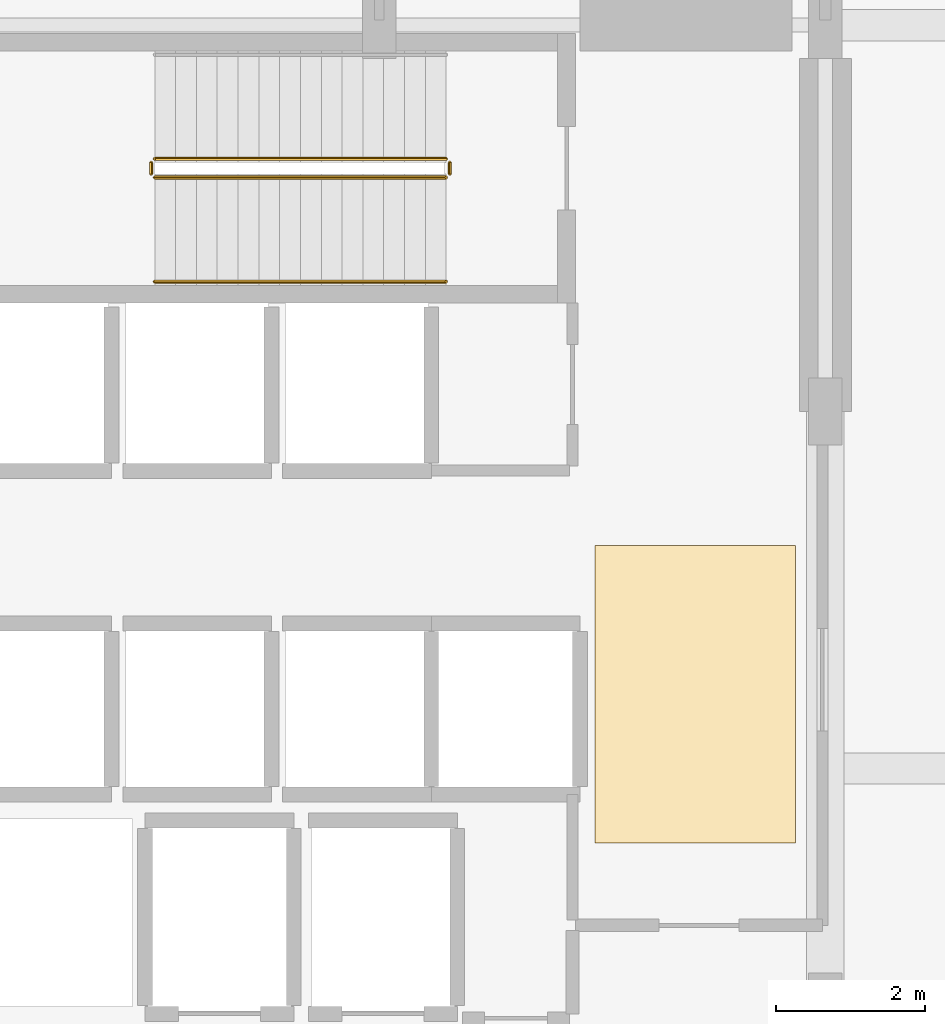
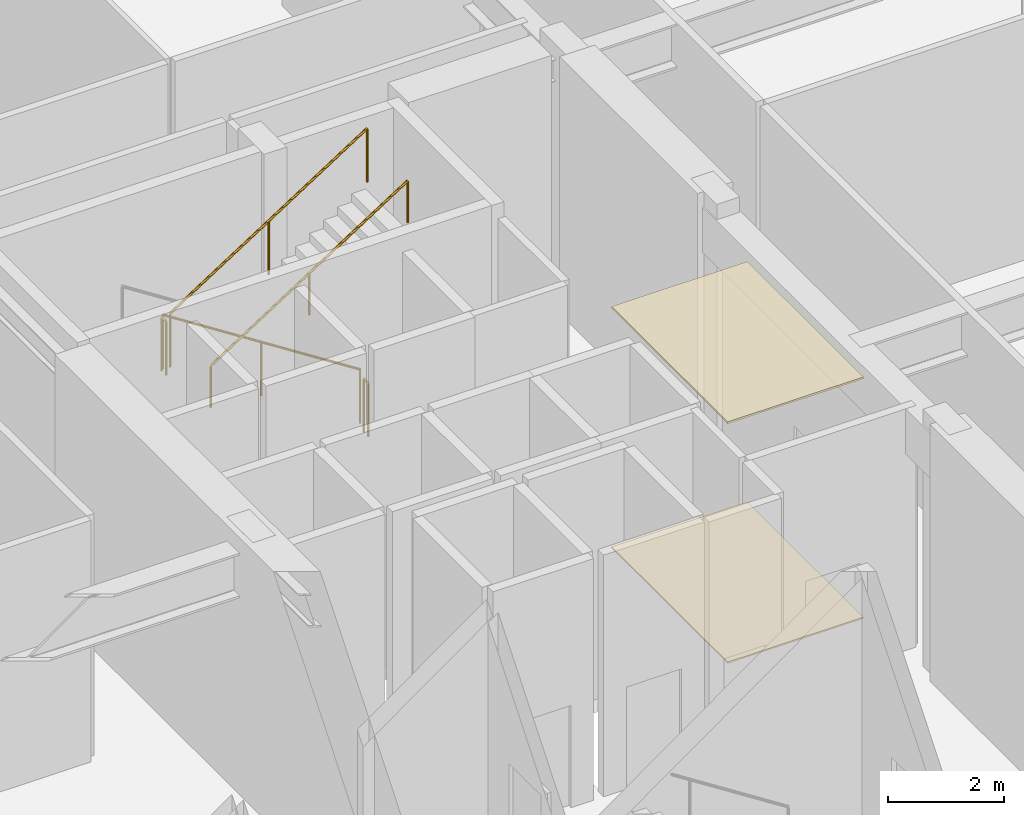
# One storey, part 26 of 28: 5 railings, 2 coverings.
"""IFC4 building model written with IfcOpenShell, lengths in metres."""

from ifc_helpers import new_model, si_unit, direction, frame, origin, origin_2d, place, context, subcontext, project, spatial, polyline, circle, outline, extrude, material, layer, layer_set, type_object, element, save


model = new_model("IFC4")

# Units and contexts
model_context = context("Model", 3, precision=1e-05, world=origin(), true_north=direction((0.0, 1.0)))
body_context = subcontext(model_context, "Body", "Model", "MODEL_VIEW")
ifc_project = project(units=[si_unit("LENGTHUNIT", "METRE"), si_unit("AREAUNIT", "SQUARE_METRE"), si_unit("VOLUMEUNIT", "CUBIC_METRE"), si_unit("PLANEANGLEUNIT", "RADIAN"), si_unit("MASSUNIT", "GRAM", prefix="KILO")], contexts=[model_context])

# Site, building, storey
site_placement = place(None, origin())
site = spatial("IfcSite", under=ifc_project, at=site_placement, CompositionType="ELEMENT")
building_placement = place(site_placement, origin())
building = spatial("IfcBuilding", under=site, at=building_placement, Name="Soratama Intermodal Tower", CompositionType="ELEMENT")
storey_placement = place(building_placement, frame((0.0, 0.0, 6.0)))
storey = spatial("IfcBuildingStorey", under=building, at=storey_placement, Name="L01", CompositionType="ELEMENT", Elevation=6.0)

# Coverings
ifc_material_1 = material(Name="Perforated mineral acoustic ceiling", Category="concrete")
ifc_layer_1 = layer(ifc_material_1, 0.0400390625)
ifc_layer_set_1 = layer_set([ifc_layer_1], Name="Perforated mineral acoustic ceiling")
covering_type_1 = type_object("IfcCoveringType", Name="CV-CEIL-ACOUSTIC", PredefinedType="CEILING", material=ifc_layer_set_1)
covering_1_placement = place(storey_placement, frame((0.0, 0.0, 5.0400390625)))
element("IfcCovering", 1, at=covering_1_placement, inside=storey, type_object=covering_type_1, Name="L01 Acoustic Ceiling", PredefinedType="CEILING", context=body_context, shape_type="SweptSolid", body=[
    extrude(outline(polyline([(41.5, 24.0), (44.199951171875, 24.0), (44.199951171875, 28.0), (41.5, 28.0), (41.5, 24.0)])), origin(), (0.0, 0.0, 1.0), 0.0400390625),
])
ifc_material_2 = material(Name="Polished Andean stone terrazzo flooring", Category="masonry")
ifc_layer_2 = layer(ifc_material_2, 0.030029296875)
ifc_layer_set_2 = layer_set([ifc_layer_2], Name="Polished Andean stone terrazzo flooring")
covering_type_2 = type_object("IfcCoveringType", Name="CV-FLOR-TERRAZZO", PredefinedType="FLOORING", material=ifc_layer_set_2)
covering_2_placement = place(storey_placement, origin())
element("IfcCovering", 2, at=covering_2_placement, inside=storey, type_object=covering_type_2, Name="L01 Lobby Terrazzo Flooring", PredefinedType="FLOORING", context=body_context, shape_type="SweptSolid", body=[
    extrude(outline(polyline([(41.5, 24.0), (44.199951171875, 24.0), (44.199951171875, 28.0), (41.5, 28.0), (41.5, 24.0)])), origin(), (0.0, 0.0, 1.0), 0.030029296875),
])

# Railings
ifc_material_3 = material(Name="Painted steel stair guardrail", Category="steel")
railing_type_1 = type_object("IfcRailingType", Name="RL-STAIR-GUARD", PredefinedType="GUARDRAIL", material=ifc_material_3)
railing_1_placement = place(storey_placement, frame((39.5, 33.199951171875, 0.179931640625)))
element("IfcRailing", 3, at=railing_1_placement, inside=storey, type_object=railing_type_1, Name="L01 ST-2 stair guard 1", PredefinedType="GUARDRAIL", context=body_context, shape_type="SweptSolid", body=[
    extrude(circle(Radius=0.02392578125, at=origin_2d()), frame((0.0, 0.0, 1.1259765625), z_axis=(-0.841171666519, 0.0, 0.540768182723), x_axis=(0.0, -1.0, 0.0)), (0.0, 0.0, 1.0), 4.66015625),
    extrude(circle(Radius=0.02099609375, at=origin_2d()), origin(), (0.0, 0.0, 1.0), 1.101806640625),
    extrude(circle(Radius=0.02099609375, at=origin_2d()), frame((-1.9599609375, 0.0, 1.260009765625)), (0.0, 0.0, 1.0), 1.101806640625),
    extrude(circle(Radius=0.02099609375, at=origin_2d()), frame((-3.919921875, 0.0, 2.52001953125)), (0.0, 0.0, 1.0), 1.101806640625),
])
railing_2_placement = place(storey_placement, frame((35.530029296875, 33.14990234375, 2.699951171875)))
element("IfcRailing", 4, at=railing_2_placement, inside=storey, type_object=railing_type_1, Name="L01 ST-2 stair guard 2", PredefinedType="GUARDRAIL", context=body_context, shape_type="SweptSolid", body=[
    extrude(circle(Radius=0.02392578125, at=origin_2d()), frame((0.0, 0.0, 1.1259765625), z_axis=(0.0, -1.0, 0.0), x_axis=(1.0, 0.0, 0.0)), (0.0, 0.0, 1.0), 0.14990234375),
    extrude(circle(Radius=0.02099609375, at=origin_2d()), origin(), (0.0, 0.0, 1.0), 1.101806640625),
    extrude(circle(Radius=0.02099609375, at=origin_2d()), frame((0.0, -0.14990234375, 0.0)), (0.0, 0.0, 1.0), 1.101806640625),
])
railing_3_placement = place(storey_placement, frame((35.580078125, 32.949951171875, 2.8798828125)))
element("IfcRailing", 5, at=railing_3_placement, inside=storey, type_object=railing_type_1, Name="L01 ST-2 stair guard 3", PredefinedType="GUARDRAIL", context=body_context, shape_type="SweptSolid", body=[
    extrude(circle(Radius=0.02392578125, at=origin_2d()), frame((0.0, 0.0, 1.1259765625), z_axis=(0.841171666519, 0.0, 0.540768182723), x_axis=(0.0, 1.0, 0.0)), (0.0, 0.0, 1.0), 4.66015625),
    extrude(circle(Radius=0.02099609375, at=origin_2d()), origin(), (0.0, 0.0, 1.0), 1.101806640625),
    extrude(circle(Radius=0.02099609375, at=origin_2d()), frame((1.9599609375, 0.0, 1.260009765625)), (0.0, 0.0, 1.0), 1.101806640625),
    extrude(circle(Radius=0.02099609375, at=origin_2d()), frame((3.919921875, 0.0, 2.52001953125)), (0.0, 0.0, 1.0), 1.101806640625),
])
railing_4_placement = place(storey_placement, frame((39.550048828125, 33.14990234375, 0.0)))
element("IfcRailing", 6, at=railing_4_placement, inside=storey, type_object=railing_type_1, Name="L01 ST-2 stair guard 4", PredefinedType="GUARDRAIL", context=body_context, shape_type="SweptSolid", body=[
    extrude(circle(Radius=0.02392578125, at=origin_2d()), frame((0.0, 0.0, 1.1259765625), z_axis=(0.0, -1.0, 0.0), x_axis=(1.0, 0.0, 0.0)), (0.0, 0.0, 1.0), 0.14990234375),
    extrude(circle(Radius=0.02099609375, at=origin_2d()), origin(), (0.0, 0.0, 1.0), 1.101806640625),
    extrude(circle(Radius=0.02099609375, at=origin_2d()), frame((0.0, -0.14990234375, 0.0)), (0.0, 0.0, 1.0), 1.101806640625),
])
ifc_material_4 = material(Name="Brushed stainless steel handrail", Category="steel")
railing_type_2 = type_object("IfcRailingType", Name="RL-STAIR-HAND", PredefinedType="HANDRAIL", material=ifc_material_4)
railing_5_placement = place(storey_placement, frame((35.580078125, 31.550048828125, 2.8798828125)))
element("IfcRailing", 7, at=railing_5_placement, inside=storey, type_object=railing_type_2, Name="L01 ST-2 stair handrail 2", PredefinedType="HANDRAIL", context=body_context, shape_type="SweptSolid", body=[
    extrude(circle(Radius=0.02392578125, at=origin_2d()), frame((0.0, 0.0, 0.8759765625), z_axis=(0.841171666519, 0.0, 0.540768182723), x_axis=(0.0, 1.0, 0.0)), (0.0, 0.0, 1.0), 4.66015625),
    extrude(circle(Radius=0.02099609375, at=origin_2d()), origin(), (0.0, 0.0, 1.0), 0.851806640625),
    extrude(circle(Radius=0.02099609375, at=origin_2d()), frame((1.9599609375, 0.0, 1.260009765625)), (0.0, 0.0, 1.0), 0.851806640625),
    extrude(circle(Radius=0.02099609375, at=origin_2d()), frame((3.919921875, 0.0, 2.52001953125)), (0.0, 0.0, 1.0), 0.851806640625),
])

save(model, "model.ifc")
